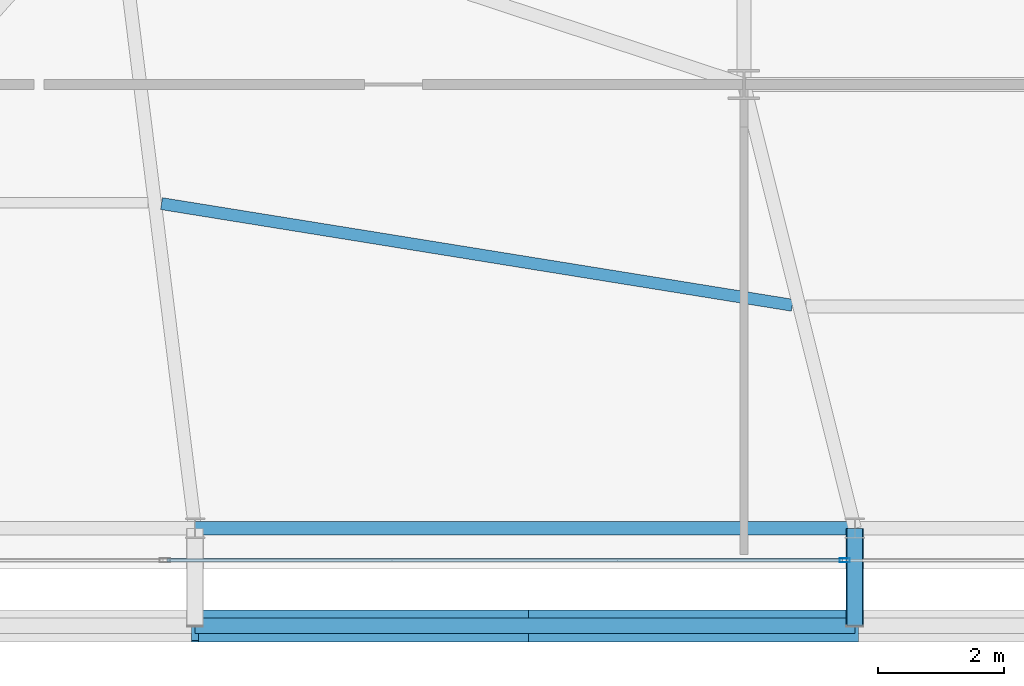
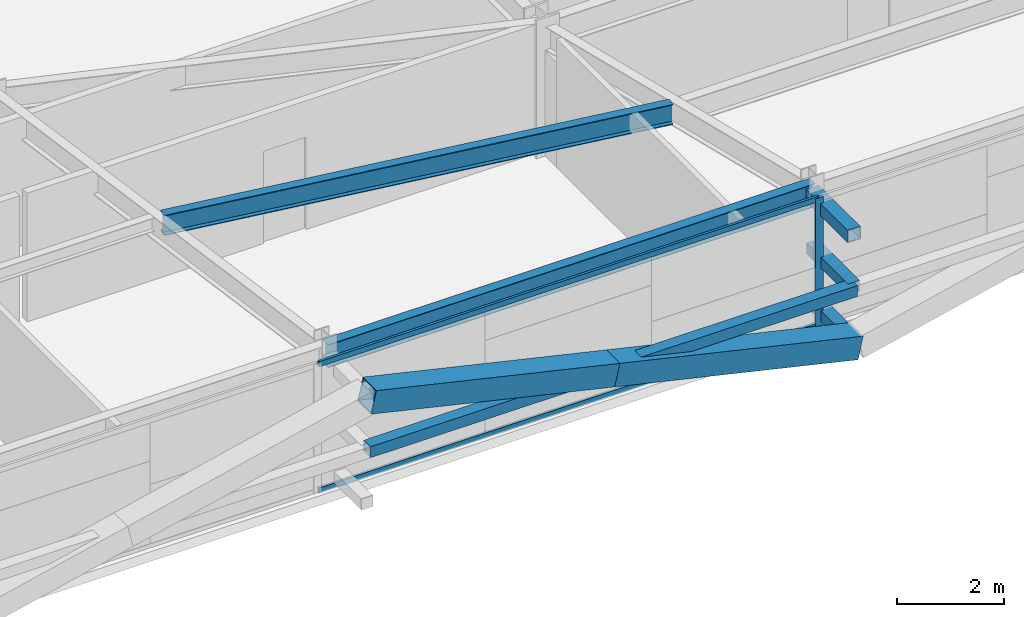
# One storey, part 9 of 44: 9 members, 2 beams, 1 element without a shape of its own.
"""IFC4 building model written with IfcOpenShell, lengths in metres."""

from ifc_helpers import new_model, si_unit, direction, frame, origin, origin_2d, place, context, subcontext, project, spatial, hollow_rectangle, i_section, extrude, source, transform, mapped, material, layer, layer_set, material_profile, profile_set, type_object, element, aggregate, save


model = new_model("IFC4")

# Units and contexts
model_context = context("Model", 3, precision=1e-05, world=origin(), true_north=direction((0.0, 1.0)))
body_context = subcontext(model_context, "Body", "Model", "MODEL_VIEW")
ifc_project = project(units=[si_unit("LENGTHUNIT", "METRE"), si_unit("AREAUNIT", "SQUARE_METRE"), si_unit("VOLUMEUNIT", "CUBIC_METRE"), si_unit("PLANEANGLEUNIT", "RADIAN"), si_unit("MASSUNIT", "GRAM", prefix="KILO")], contexts=[model_context])

# Site, building, storey
site_placement = place(None, origin())
site = spatial("IfcSite", under=ifc_project, at=site_placement, CompositionType="ELEMENT")
building_placement = place(site_placement, origin())
building = spatial("IfcBuilding", under=site, at=building_placement, Name="Taldren Reach Tower", CompositionType="ELEMENT")
storey_placement = place(building_placement, frame((0.0, 0.0, 42.0)))
storey = spatial("IfcBuildingStorey", under=building, at=storey_placement, Name="L12", CompositionType="ELEMENT", Elevation=42.0)

# Beams
ifc_material_1 = material(Name="Steel Gr 350 (350PLUS)", Category="steel")
ifc_material_profile_1 = material_profile(ifc_material_1, i_section(OverallWidth=0.208984375, OverallDepth=0.528076171875, WebThickness=0.009521484375, FlangeThickness=0.01318359375, at=origin_2d()), Name="530UB82.0")
ifc_profile_set_1 = profile_set([ifc_material_profile_1], Name="Steel Gr 350 (350PLUS)")
beam_type_1 = type_object("IfcBeamType", Name="SP-UB530B", PredefinedType="SPANDREL", material=ifc_profile_set_1)
shared_shape_1 = source(origin(), body_context, "Body", "SweptSolid", [
    extrude(i_section(OverallWidth=0.208984375, OverallDepth=0.528076171875, WebThickness=0.009521484375, FlangeThickness=0.01318359375, at=origin_2d()), origin(), (0.0, 0.0, 1.0), 10.47998046875),
])
beam_1_placement = place(storey_placement, frame((19.280029296875, 2.14990234375, 2.666015625), z_axis=(1.0, 0.0, 0.0), x_axis=(0.0, 1.0, 0.0)))
element("IfcBeam", 1, at=beam_1_placement, inside=storey, type_object=beam_type_1, Name="Perimeter spandrel B1 S2-S3 L12", PredefinedType="SPANDREL", context=body_context, shape_type="MappedRepresentation", body=[
    mapped(shared_shape_1, transform((0.0, 0.0, 0.0), scale=1.0)),
])
ifc_material_profile_2 = material_profile(ifc_material_1, i_section(OverallWidth=0.19091796875, OverallDepth=0.4599609375, WebThickness=0.010009765625, FlangeThickness=0.01611328125, at=origin_2d()), Name="460UB82.1")
ifc_profile_set_2 = profile_set([ifc_material_profile_2], Name="Steel Gr 350 (350PLUS)")
beam_type_2 = type_object("IfcBeamType", Name="BM-UB460A", PredefinedType="BEAM", material=ifc_profile_set_2)
shared_shape_2 = source(origin(), body_context, "Body", "SweptSolid", [
    extrude(i_section(OverallWidth=0.19091796875, OverallDepth=0.4599609375, WebThickness=0.010009765625, FlangeThickness=0.01611328125, at=origin_2d()), origin(), (0.0, 0.0, 1.0), 10.1494140625),
])
beam_2_placement = place(storey_placement, frame((18.74755859375, 7.3076171875, 2.699951171875), z_axis=(0.987266967452, -0.159072106224, 0.0), x_axis=(0.159072106224, 0.987266967452, 0.0)))
element("IfcBeam", 2, at=beam_2_placement, inside=storey, type_object=beam_type_2, Name="Secondary floor beam B1 J2 L12", PredefinedType="BEAM", context=body_context, shape_type="MappedRepresentation", body=[
    mapped(shared_shape_2, transform((0.0, 0.0, 0.0), scale=1.0)),
])

# Members
ifc_material_2 = material(Name="Steel Gr 450 (C450L0)", Category="steel")
ifc_material_profile_3 = material_profile(ifc_material_2, hollow_rectangle(XDim=0.27490234375, YDim=0.27490234375, WallThickness=0.00927734375, at=origin_2d()), Name="275x275x9.3SHS")
ifc_profile_set_3 = profile_set([ifc_material_profile_3], Name="Steel Gr 450 (C450L0)")
member_type_1 = type_object("IfcMemberType", Name="MB-TIE273", PredefinedType="STRUT", material=ifc_profile_set_3)
shared_shape_3 = source(origin(), body_context, "Body", "SweptSolid", [
    extrude(hollow_rectangle(XDim=0.27490234375, YDim=0.27490234375, WallThickness=0.00927734375, at=origin_2d()), origin(), (0.0, 0.0, 1.0), 1.5498046875),
])
member_1_placement = place(storey_placement, frame((29.760009765625, 2.14990234375, 2.64990234375), z_axis=(0.0, -1.0, 0.0), x_axis=(1.0, 0.0, 0.0)))
element("IfcMember", 3, at=member_1_placement, inside=storey, type_object=member_type_1, Name="Exoskeleton diaphragm tie strut B1-S3 L12", PredefinedType="STRUT", context=body_context, shape_type="MappedRepresentation", body=[
    mapped(shared_shape_3, transform((0.0, 0.0, 0.0), scale=1.0)),
])
ifc_material_profile_4 = material_profile(ifc_material_2, hollow_rectangle(XDim=0.510009765625, YDim=0.510009765625, WallThickness=0.02001953125, at=origin_2d()), Name="510x510x20.0SHS")
ifc_profile_set_4 = profile_set([ifc_material_profile_4], Name="Steel Gr 450 (C450L0)")
member_type_2 = type_object("IfcMemberType", Name="MB-EXO508", PredefinedType="BRACE", material=ifc_profile_set_4)
shared_shape_4 = source(origin(), body_context, "Body", "SweptSolid", [
    extrude(hollow_rectangle(XDim=0.510009765625, YDim=0.510009765625, WallThickness=0.02001953125, at=origin_2d()), origin(), (0.0, 0.0, 1.0), 5.37890625),
])
for number, where, z_axis, x_axis, name in (
    (4, (29.760009765625, 0.60009765625, 0.219970703125), (-0.97415197996, 0.0, 0.225893603143), (0.0, -1.0, 0.0), "Exoskeleton Diagrid Brace B1-S2 L12"),
    (5, (24.52001953125, 0.60009765625, 1.43505859375), (-0.974161966843, 0.0, 0.225850531007), (0.0, -1.0, 0.0), "Exoskeleton Diagrid Brace B1-S2 L12"),
):
    element("IfcMember", number, at=place(storey_placement, frame(where, z_axis=z_axis, x_axis=x_axis)), inside=storey, type_object=member_type_2, Name=name, PredefinedType="BRACE", context=body_context, shape_type="MappedRepresentation", body=[
        mapped(shared_shape_4, transform((0.0, 0.0, 0.0), scale=1.0)),
    ])
ifc_material_3 = material(Name="Steel Gr 350 (C350L0)", Category="steel")
ifc_material_profile_5 = material_profile(ifc_material_3, hollow_rectangle(XDim=0.25, YDim=0.25, WallThickness=0.010009765625, at=origin_2d()), Name="250x250x10.0SHS")
ifc_profile_set_5 = profile_set([ifc_material_profile_5], Name="Steel Gr 350 (C350L0)")
member_type_3 = type_object("IfcMemberType", Name="MB-POST250", PredefinedType="POST", material=ifc_profile_set_5)
shared_shape_5 = source(origin(), body_context, "Body", "SweptSolid", [
    extrude(hollow_rectangle(XDim=0.25, YDim=0.25, WallThickness=0.010009765625, at=origin_2d()), origin(), (0.0, 0.0, 1.0), 10.47998046875),
])
member_2_placement = place(storey_placement, frame((19.280029296875, 0.60009765625, 1.43505859375), z_axis=(1.0, 0.0, 0.0), x_axis=(0.0, 1.0, 0.0)))
element("IfcMember", 6, at=member_2_placement, inside=storey, type_object=member_type_3, Name="Exoskeleton mid-height ring chord B1-S2 L12", PredefinedType="POST", context=body_context, shape_type="MappedRepresentation", body=[
    mapped(shared_shape_5, transform((0.0, 0.0, 0.0), scale=1.0)),
])
shared_shape_6 = source(origin(), body_context, "Body", "SweptSolid", [
    extrude(hollow_rectangle(XDim=0.25, YDim=0.25, WallThickness=0.010009765625, at=origin_2d()), origin(), (0.0, 0.0, 1.0), 1.5498046875),
])
for number, where, z_axis, x_axis, name in (
    (7, (29.760009765625, 2.14990234375, 0.219970703125), (0.0, -1.0, 0.0), (1.0, 0.0, 0.0), "Exoskeleton base diaphragm tie strut B1-S3 L12"),
    (8, (29.760009765625, 2.14990234375, 1.43505859375), (0.0, -1.0, 0.0), (1.0, 0.0, 0.0), "Exoskeleton mid-tier diaphragm tie B1-S3 L12"),
):
    element("IfcMember", number, at=place(storey_placement, frame(where, z_axis=z_axis, x_axis=x_axis)), inside=storey, type_object=member_type_3, Name=name, PredefinedType="POST", context=body_context, shape_type="MappedRepresentation", body=[
        mapped(shared_shape_6, transform((0.0, 0.0, 0.0), scale=1.0)),
    ])

# Curtain wall, members
ifc_material_4 = material(Name="Aluminium and Low-E Glass Unitised System", Category="aluminium")
ifc_layer = layer(ifc_material_4, 0.159912109375)
ifc_layer_set = layer_set([ifc_layer], Name="Aluminium and Low-E Glass Unitised System")
curtain_wall_type = type_object("IfcCurtainWallType", Name="CW-SYS-2", PredefinedType="NOTDEFINED", material=ifc_layer_set)
curtain_wall_placement = place(storey_placement, origin())
curtain_wall = element("IfcCurtainWall", 9, at=curtain_wall_placement, inside=storey, type_object=curtain_wall_type, Name="Unitised curtain wall CW-L12-S", PredefinedType="NOTDEFINED")
ifc_material_5 = material(Name="Anodised Aluminium 6063-T6", Category="aluminium")
ifc_material_profile_6 = material_profile(ifc_material_5, hollow_rectangle(XDim=0.06494140625, YDim=0.1650390625, WallThickness=0.00390625, at=origin_2d()), Name="ALU-165x65x4RHS")
ifc_profile_set_6 = profile_set([ifc_material_profile_6], Name="Anodised Aluminium 6063-T6")
member_type_4 = type_object("IfcMemberType", Name="CW-MUL-165", PredefinedType="MULLION", material=ifc_profile_set_6)
shared_shape_7 = source(origin(), body_context, "Body", "SweptSolid", [
    extrude(hollow_rectangle(XDim=0.06494140625, YDim=0.1650390625, WallThickness=0.00390625, at=origin_2d()), origin(), (0.0, 0.0, 1.0), 2.929931640625),
])
member_3_placement = place(storey_placement, frame((29.60009765625, 1.639892578125, 0.0), z_axis=(0.0, 0.0, 1.0), x_axis=(0.0, 1.0, 0.0)))
member_3 = element("IfcMember", 10, at=member_3_placement, type_object=member_type_4, Name="CW-2 mullion 3", PredefinedType="MULLION", context=body_context, shape_type="MappedRepresentation", body=[
    mapped(shared_shape_7, transform((0.0, 0.0, 0.0), scale=1.0)),
])
ifc_material_profile_7 = material_profile(ifc_material_5, hollow_rectangle(XDim=0.054931640625, YDim=0.1201171875, WallThickness=0.0029296875, at=origin_2d()), Name="ALU-120x55x3RHS")
ifc_profile_set_7 = profile_set([ifc_material_profile_7], Name="Anodised Aluminium 6063-T6")
member_type_5 = type_object("IfcMemberType", Name="CW-TRN-135", PredefinedType="USERDEFINED", material=ifc_profile_set_7)
shared_shape_8 = source(origin(), body_context, "Body", "SweptSolid", [
    extrude(hollow_rectangle(XDim=0.054931640625, YDim=0.1201171875, WallThickness=0.0029296875, at=origin_2d()), origin(), (0.0, 0.0, 1.0), 10.73486328125),
])
member_4_placement = place(storey_placement, frame((18.83251953125, 1.639892578125, 0.027587890625), z_axis=(1.0, 0.0, 0.0), x_axis=(0.0, 1.0, 0.0)))
member_4 = element("IfcMember", 11, at=member_4_placement, type_object=member_type_5, Name="CW-2 transom 2.1", ObjectType="TRANSOM", PredefinedType="USERDEFINED", context=body_context, shape_type="MappedRepresentation", body=[
    mapped(shared_shape_8, transform((0.0, 0.0, 0.0), scale=1.0)),
])
member_5_placement = place(storey_placement, frame((18.83251953125, 1.639892578125, 2.902587890625), z_axis=(1.0, 0.0, 0.0), x_axis=(0.0, 1.0, 0.0)))
member_5 = element("IfcMember", 12, at=member_5_placement, type_object=member_type_5, Name="CW-2 transom 2.2", ObjectType="TRANSOM", PredefinedType="USERDEFINED", context=body_context, shape_type="MappedRepresentation", body=[
    mapped(shared_shape_8, transform((0.0, 0.0, 0.0), scale=1.0)),
])
aggregate(curtain_wall, [member_3, member_4, member_5])

save(model, "model.ifc")
